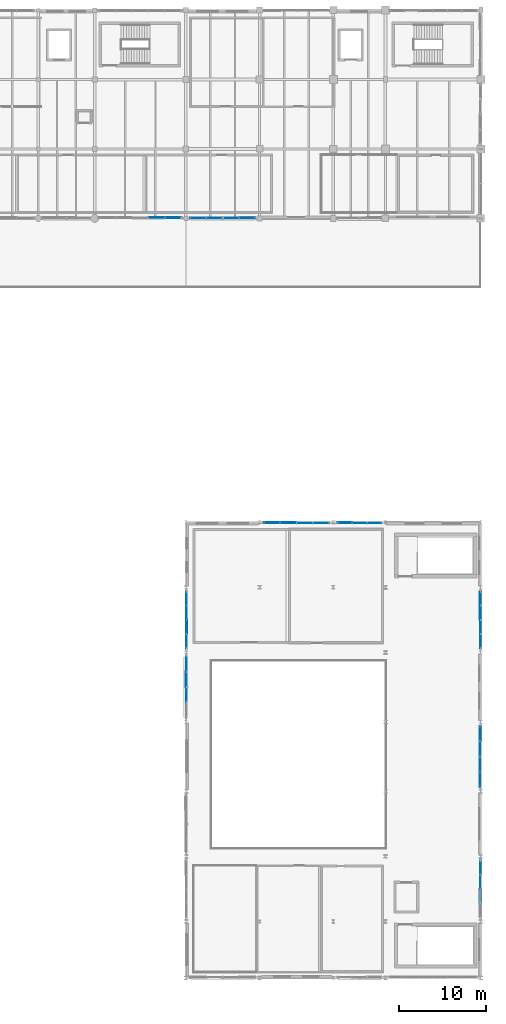
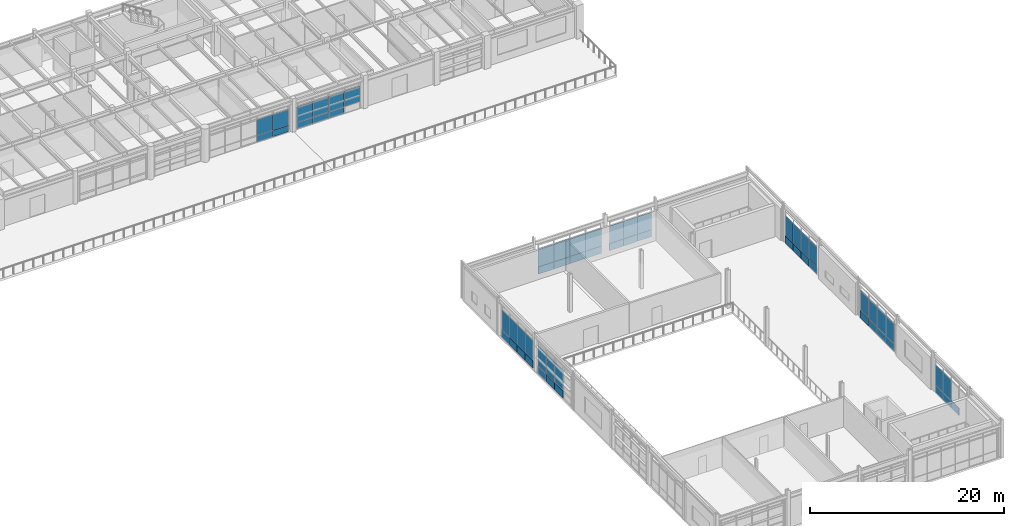
# One storey, part 44 of 56: 60 plates, 9 elements without a shape of their own.
"""IFC4 building model written with IfcOpenShell, lengths in metres."""

from ifc_helpers import new_model, si_unit, direction, frame, origin, origin_2d, place, context, subcontext, project, spatial, rectangle, extrude, material, layer, layer_set, type_object, element, aggregate, save


model = new_model("IFC4")

# Units and contexts
model_context = context("Model", 3, precision=1e-05, world=origin(), true_north=direction((0.0, 1.0)))
body_context = subcontext(model_context, "Body", "Model", "MODEL_VIEW")
ifc_project = project(units=[si_unit("LENGTHUNIT", "METRE"), si_unit("AREAUNIT", "SQUARE_METRE"), si_unit("VOLUMEUNIT", "CUBIC_METRE"), si_unit("PLANEANGLEUNIT", "RADIAN"), si_unit("MASSUNIT", "GRAM", prefix="KILO"), si_unit("THERMODYNAMICTEMPERATUREUNIT", "KELVIN"), si_unit("POWERUNIT", "WATT")], contexts=[model_context])

# Site, building, storey
site_placement = place(None, origin())
site = spatial("IfcSite", under=ifc_project, at=site_placement, CompositionType="ELEMENT")
building_placement = place(site_placement, origin())
building = spatial("IfcBuilding", under=site, at=building_placement, Name="Tepalcoro Natatorium and Aquatics Centre", CompositionType="ELEMENT")
storey_placement = place(building_placement, frame((0.0, 0.0, 14.800048828125)))
storey = spatial("IfcBuildingStorey", under=building, at=storey_placement, Name="L03", CompositionType="ELEMENT", Elevation=14.800048828125)

# Curtain wall, plate
ifc_material_1 = material(Name="Bronze-Anodised Extruded Aluminium Alloy EN AW-6063 T6", Category="aluminium")
curtain_wall_type_1 = type_object("IfcCurtainWallType", Name="CW_LEAN_T1_EW", PredefinedType="USERDEFINED", material=ifc_material_1)
curtain_wall_1_placement = place(storey_placement, origin())
curtain_wall_1 = element("IfcCurtainWall", 1, at=curtain_wall_1_placement, inside=storey, type_object=curtain_wall_type_1, Name="V2 L03 N Unitised Curtain Wall Bay 2", ObjectType="FACETED SOLAR GLAZING", PredefinedType="USERDEFINED")
ifc_material_2 = material(Name="Solar-Control Bronze Tempered Low-E Double Glazing", Category="glass")
ifc_layer_1 = layer(ifc_material_2, 0.048095703125)
ifc_layer_set_1 = layer_set([ifc_layer_1], Name="Solar-Control Bronze Tempered Low-E Double Glazing")
plate_type_1 = type_object("IfcPlateType", Name="PL_ACOUSTIC_IGU_48", PredefinedType="CURTAIN_PANEL", material=ifc_layer_set_1)
plate_1_placement = place(storey_placement, frame((153.8076171875, 58.9287109375, 0.949951171875), z_axis=(0.0, 0.0, 1.0), x_axis=(1.0, 0.0, 0.0)))
plate_1 = element("IfcPlate", 2, at=plate_1_placement, type_object=plate_type_1, Name="CW_LEAN_T1_EW Insulated Glazing Unit", PredefinedType="CURTAIN_PANEL", context=body_context, shape_type="SweptSolid", body=[
    extrude(rectangle(XDim=1.864990234375, YDim=0.048095703125, at=origin_2d()), origin(), (0.0, 0.0, 1.0), 2.25),
])

curtain_wall_type_2 = type_object("IfcCurtainWallType", Name="CW_LEAN_T2_NS", PredefinedType="USERDEFINED", material=ifc_material_1)
curtain_wall_2_placement = place(storey_placement, origin())
curtain_wall_2 = element("IfcCurtainWall", 3, at=curtain_wall_2_placement, inside=storey, type_object=curtain_wall_type_2, Name="V2 L03 N Unitised Curtain Wall Bay 3", ObjectType="FACETED SOLAR GLAZING", PredefinedType="USERDEFINED")
plate_2_placement = place(storey_placement, frame((160.320068359375, 58.923828125, 0.9306640625), z_axis=(0.0, 0.0, 1.0), x_axis=(1.0, 0.0, 0.0)))
plate_2 = element("IfcPlate", 4, at=plate_2_placement, type_object=plate_type_1, Name="CW_LEAN_T2_NS Insulated Glazing Unit", PredefinedType="CURTAIN_PANEL", context=body_context, shape_type="SweptSolid", body=[
    extrude(rectangle(XDim=1.659912109375, YDim=0.048095703125, at=origin_2d()), origin(), (0.0, 0.0, 1.0), 2.193115234375),
])

curtain_wall_type_3 = type_object("IfcCurtainWallType", Name="CW_LEAN_T2_EW", PredefinedType="USERDEFINED", material=ifc_material_1)
curtain_wall_3_placement = place(storey_placement, origin())
curtain_wall_3 = element("IfcCurtainWall", 5, at=curtain_wall_3_placement, inside=storey, type_object=curtain_wall_type_3, Name="V2 L03 W Unitised Curtain Wall Bay 5", ObjectType="FACETED SOLAR GLAZING", PredefinedType="USERDEFINED")
plate_3_placement = place(storey_placement, frame((142.0712890625, 42.639892578125, 0.9599609375), z_axis=(0.0, 0.0, 1.0), x_axis=(1.0, 0.0, 0.0)))
plate_3 = element("IfcPlate", 6, at=plate_3_placement, type_object=plate_type_1, Name="CW_LEAN_T2_EW Insulated Glazing Unit", PredefinedType="CURTAIN_PANEL", context=body_context, shape_type="SweptSolid", body=[
    extrude(rectangle(XDim=0.048095703125, YDim=1.739990234375, at=origin_2d()), origin(), (0.0, 0.0, 1.0), 2.530029296875),
])

curtain_wall_type_4 = type_object("IfcCurtainWallType", Name="CW_V1_PLINTH", PredefinedType="USERDEFINED", material=ifc_material_1)
curtain_wall_4_placement = place(storey_placement, origin())
curtain_wall_4 = element("IfcCurtainWall", 7, at=curtain_wall_4_placement, inside=storey, type_object=curtain_wall_type_4, Name="V2 L03 W Unitised Curtain Wall Bay 6", ObjectType="UNITISED STOREFRONT", PredefinedType="USERDEFINED")
plate_4_placement = place(storey_placement, frame((142.090087890625, 48.5673828125, 0.9599609375), z_axis=(0.0, 0.0, 1.0), x_axis=(1.0, 0.0, 0.0)))
plate_4 = element("IfcPlate", 8, at=plate_4_placement, type_object=plate_type_1, Name="CW_V1_PLINTH Insulated Glazing Unit", PredefinedType="CURTAIN_PANEL", context=body_context, shape_type="SweptSolid", body=[
    extrude(rectangle(XDim=0.048095703125, YDim=1.614990234375, at=origin_2d()), origin(), (0.0, 0.0, 1.0), 2.530029296875),
])

# Curtain wall, plates
curtain_wall_5_placement = place(storey_placement, origin())
curtain_wall_5 = element("IfcCurtainWall", 9, at=curtain_wall_5_placement, inside=storey, type_object=curtain_wall_type_4, Name="V2 L03 E Unitised Curtain Wall Bay 4", ObjectType="UNITISED STOREFRONT", PredefinedType="USERDEFINED")
plate_5_placement = place(storey_placement, frame((175.909912109375, 29.360107421875, 0.9599609375), z_axis=(0.0, 0.0, 1.0), x_axis=(1.0, 0.0, 0.0)))
plate_5 = element("IfcPlate", 10, at=plate_5_placement, type_object=plate_type_1, Name="CW_V1_PLINTH Insulated Glazing Unit", PredefinedType="CURTAIN_PANEL", context=body_context, shape_type="SweptSolid", body=[
    extrude(rectangle(XDim=0.048095703125, YDim=1.739990234375, at=origin_2d()), origin(), (0.0, 0.0, 1.0), 2.530029296875),
])
plate_6_placement = place(storey_placement, frame((175.909912109375, 34.639892578125, 0.9599609375), z_axis=(0.0, 0.0, 1.0), x_axis=(1.0, 0.0, 0.0)))
plate_6 = element("IfcPlate", 11, at=plate_6_placement, type_object=plate_type_1, Name="CW_V1_PLINTH Insulated Glazing Unit", PredefinedType="CURTAIN_PANEL", context=body_context, shape_type="SweptSolid", body=[
    extrude(rectangle(XDim=0.048095703125, YDim=1.739990234375, at=origin_2d()), origin(), (0.0, 0.0, 1.0), 2.530029296875),
])

# Curtain wall, plate
curtain_wall_type_5 = type_object("IfcCurtainWallType", Name="CW_V3_FOYER", PredefinedType="USERDEFINED", material=ifc_material_1)
curtain_wall_6_placement = place(storey_placement, origin())
curtain_wall_6 = element("IfcCurtainWall", 12, at=curtain_wall_6_placement, inside=storey, type_object=curtain_wall_type_5, Name="V2 L03 E Unitised Curtain Wall Bay 6", ObjectType="UNITISED STOREFRONT", PredefinedType="USERDEFINED")
plate_7_placement = place(storey_placement, frame((175.9287109375, 48.5673828125, 0.9599609375), z_axis=(0.0, 0.0, 1.0), x_axis=(1.0, 0.0, 0.0)))
plate_7 = element("IfcPlate", 13, at=plate_7_placement, type_object=plate_type_1, Name="CW_V3_FOYER Insulated Glazing Unit", PredefinedType="CURTAIN_PANEL", context=body_context, shape_type="SweptSolid", body=[
    extrude(rectangle(XDim=0.048095703125, YDim=1.614990234375, at=origin_2d()), origin(), (0.0, 0.0, 1.0), 2.530029296875),
])

curtain_wall_type_6 = type_object("IfcCurtainWallType", Name="CW_V5_LOWER", PredefinedType="USERDEFINED", material=ifc_material_1)
curtain_wall_7_placement = place(storey_placement, origin())
curtain_wall_7 = element("IfcCurtainWall", 14, at=curtain_wall_7_placement, inside=storey, type_object=curtain_wall_type_6, Name="V5 L03 S Unitised Curtain Wall Bay 4", ObjectType="UNITISED STOREFRONT", PredefinedType="USERDEFINED")
plate_8_placement = place(storey_placement, frame((140.56591796875, 94.080078125, 0.85400390625), z_axis=(0.0, 0.0, 1.0), x_axis=(1.0, 0.0, 0.0)))
plate_8 = element("IfcPlate", 15, at=plate_8_placement, type_object=plate_type_1, Name="CW_V5_LOWER Insulated Glazing Unit", PredefinedType="CURTAIN_PANEL", context=body_context, shape_type="SweptSolid", body=[
    extrude(rectangle(XDim=1.887939453125, YDim=0.048095703125, at=origin_2d()), origin(), (0.0, 0.0, 1.0), 1.972412109375),
])

# Curtain wall, plates
curtain_wall_type_7 = type_object("IfcCurtainWallType", Name="CW_V5_UPPER", PredefinedType="USERDEFINED", material=ifc_material_1)
curtain_wall_8_placement = place(storey_placement, origin())
curtain_wall_8 = element("IfcCurtainWall", 16, at=curtain_wall_8_placement, inside=storey, type_object=curtain_wall_type_7, Name="V5 L03 S Unitised Curtain Wall Bay 5", ObjectType="FACETED SOLAR GLAZING", PredefinedType="USERDEFINED")
plate_9_placement = place(storey_placement, frame((143.422607421875, 94.0712890625, 0.84228515625), z_axis=(0.0, 0.0, 1.0), x_axis=(1.0, 0.0, 0.0)))
plate_9 = element("IfcPlate", 17, at=plate_9_placement, type_object=plate_type_1, Name="CW_V5_UPPER Insulated Glazing Unit", PredefinedType="CURTAIN_PANEL", context=body_context, shape_type="SweptSolid", body=[
    extrude(rectangle(XDim=1.864990234375, YDim=0.048095703125, at=origin_2d()), origin(), (0.0, 0.0, 1.0), 1.944580078125),
])
plate_10_placement = place(storey_placement, frame((149.077392578125, 94.0712890625, 0.84228515625), z_axis=(0.0, 0.0, 1.0), x_axis=(1.0, 0.0, 0.0)))
plate_10 = element("IfcPlate", 18, at=plate_10_placement, type_object=plate_type_1, Name="CW_V5_UPPER Insulated Glazing Unit", PredefinedType="CURTAIN_PANEL", context=body_context, shape_type="SweptSolid", body=[
    extrude(rectangle(XDim=1.864990234375, YDim=0.048095703125, at=origin_2d()), origin(), (0.0, 0.0, 1.0), 1.944580078125),
])

# Plate
ifc_layer_2 = layer(ifc_material_2, 0.028076171875)
ifc_layer_set_2 = layer_set([ifc_layer_2], Name="Solar-Control Bronze Tempered Low-E Double Glazing")
plate_type_2 = type_object("IfcPlateType", Name="PL_BRONZE_IGU_28", PredefinedType="CURTAIN_PANEL", material=ifc_layer_set_2)
plate_11_placement = place(storey_placement, frame((151.922607421875, 58.9287109375, 0.949951171875), z_axis=(0.0, 0.0, 1.0), x_axis=(1.0, 0.0, 0.0)))
plate_11 = element("IfcPlate", 19, at=plate_11_placement, type_object=plate_type_2, Name="CW_LEAN_T1_EW Insulated Glazing Unit", PredefinedType="CURTAIN_PANEL", context=body_context, shape_type="SweptSolid", body=[
    extrude(rectangle(XDim=1.864990234375, YDim=0.028076171875, at=origin_2d()), origin(), (0.0, 0.0, 1.0), 2.25),
])

plate_12_placement = place(storey_placement, frame((157.577392578125, 58.9287109375, 0.949951171875), z_axis=(0.0, 0.0, 1.0), x_axis=(1.0, 0.0, 0.0)))
plate_12 = element("IfcPlate", 20, at=plate_12_placement, type_object=plate_type_2, Name="CW_LEAN_T1_EW Insulated Glazing Unit", PredefinedType="CURTAIN_PANEL", context=body_context, shape_type="SweptSolid", body=[
    extrude(rectangle(XDim=1.864990234375, YDim=0.028076171875, at=origin_2d()), origin(), (0.0, 0.0, 1.0), 2.25),
])

plate_13_placement = place(storey_placement, frame((163.679931640625, 58.923828125, 0.9306640625), z_axis=(0.0, 0.0, 1.0), x_axis=(1.0, 0.0, 0.0)))
plate_13 = element("IfcPlate", 21, at=plate_13_placement, type_object=plate_type_2, Name="CW_LEAN_T2_NS Insulated Glazing Unit", PredefinedType="CURTAIN_PANEL", context=body_context, shape_type="SweptSolid", body=[
    extrude(rectangle(XDim=1.659912109375, YDim=0.028076171875, at=origin_2d()), origin(), (0.0, 0.0, 1.0), 2.193115234375),
])

plate_14_placement = place(storey_placement, frame((142.0712890625, 40.8798828125, 0.9599609375), z_axis=(0.0, 0.0, 1.0), x_axis=(1.0, 0.0, 0.0)))
plate_14 = element("IfcPlate", 22, at=plate_14_placement, type_object=plate_type_2, Name="CW_LEAN_T2_EW Insulated Glazing Unit", PredefinedType="CURTAIN_PANEL", context=body_context, shape_type="SweptSolid", body=[
    extrude(rectangle(XDim=0.028076171875, YDim=1.739990234375, at=origin_2d()), origin(), (0.0, 0.0, 1.0), 2.530029296875),
])

plate_15_placement = place(storey_placement, frame((142.090087890625, 46.9326171875, 0.9599609375), z_axis=(0.0, 0.0, 1.0), x_axis=(1.0, 0.0, 0.0)))
plate_15 = element("IfcPlate", 23, at=plate_15_placement, type_object=plate_type_2, Name="CW_V1_PLINTH Insulated Glazing Unit", PredefinedType="CURTAIN_PANEL", context=body_context, shape_type="SweptSolid", body=[
    extrude(rectangle(XDim=0.028076171875, YDim=1.614990234375, at=origin_2d()), origin(), (0.0, 0.0, 1.0), 2.530029296875),
])

# Curtain wall, plate
curtain_wall_9_placement = place(storey_placement, origin())
curtain_wall_9 = element("IfcCurtainWall", 24, at=curtain_wall_9_placement, inside=storey, type_object=curtain_wall_type_2, Name="V2 L03 E Unitised Curtain Wall Bay 2", ObjectType="FACETED SOLAR GLAZING", PredefinedType="USERDEFINED")
plate_16_placement = place(storey_placement, frame((175.923828125, 19.202392578125, 0.9599609375), z_axis=(0.0, 0.0, 1.0), x_axis=(1.0, 0.0, 0.0)))
plate_16 = element("IfcPlate", 25, at=plate_16_placement, type_object=plate_type_2, Name="CW_LEAN_T2_NS Insulated Glazing Unit", PredefinedType="CURTAIN_PANEL", context=body_context, shape_type="SweptSolid", body=[
    extrude(rectangle(XDim=0.028076171875, YDim=1.614990234375, at=origin_2d()), origin(), (0.0, 0.0, 1.0), 2.530029296875),
])

# Plate
plate_17_placement = place(storey_placement, frame((175.909912109375, 32.8798828125, 0.9599609375), z_axis=(0.0, 0.0, 1.0), x_axis=(1.0, 0.0, 0.0)))
plate_17 = element("IfcPlate", 26, at=plate_17_placement, type_object=plate_type_2, Name="CW_V1_PLINTH Insulated Glazing Unit", PredefinedType="CURTAIN_PANEL", context=body_context, shape_type="SweptSolid", body=[
    extrude(rectangle(XDim=0.028076171875, YDim=1.739990234375, at=origin_2d()), origin(), (0.0, 0.0, 1.0), 2.530029296875),
])

plate_18_placement = place(storey_placement, frame((175.9287109375, 46.9326171875, 0.9599609375), z_axis=(0.0, 0.0, 1.0), x_axis=(1.0, 0.0, 0.0)))
plate_18 = element("IfcPlate", 27, at=plate_18_placement, type_object=plate_type_2, Name="CW_V3_FOYER Insulated Glazing Unit", PredefinedType="CURTAIN_PANEL", context=body_context, shape_type="SweptSolid", body=[
    extrude(rectangle(XDim=0.028076171875, YDim=1.614990234375, at=origin_2d()), origin(), (0.0, 0.0, 1.0), 2.530029296875),
])

plate_19_placement = place(storey_placement, frame((138.657958984375, 94.080078125, 0.85400390625), z_axis=(0.0, 0.0, 1.0), x_axis=(1.0, 0.0, 0.0)))
plate_19 = element("IfcPlate", 28, at=plate_19_placement, type_object=plate_type_2, Name="CW_V5_LOWER Insulated Glazing Unit", PredefinedType="CURTAIN_PANEL", context=body_context, shape_type="SweptSolid", body=[
    extrude(rectangle(XDim=1.887939453125, YDim=0.028076171875, at=origin_2d()), origin(), (0.0, 0.0, 1.0), 1.972412109375),
])

plate_20_placement = place(storey_placement, frame((147.1923828125, 94.0712890625, 0.84228515625), z_axis=(0.0, 0.0, 1.0), x_axis=(1.0, 0.0, 0.0)))
plate_20 = element("IfcPlate", 29, at=plate_20_placement, type_object=plate_type_2, Name="CW_V5_UPPER Insulated Glazing Unit", PredefinedType="CURTAIN_PANEL", context=body_context, shape_type="SweptSolid", body=[
    extrude(rectangle(XDim=1.864990234375, YDim=0.028076171875, at=origin_2d()), origin(), (0.0, 0.0, 1.0), 1.944580078125),
])

ifc_material_3 = material(Name="Jalisco Cantera Rosa Volcanic Tuff Ashlar Masonry", Category="masonry")
ifc_layer_3 = layer(ifc_material_3, 0.090087890625)
ifc_layer_set_3 = layer_set([ifc_layer_3], Name="Jalisco Cantera Rosa Volcanic Tuff Ashlar Masonry")
plate_type_3 = type_object("IfcPlateType", Name="PL_CANTERA_90", PredefinedType="SHEET", material=ifc_layer_set_3)
plate_21_placement = place(storey_placement, frame((151.922607421875, 58.9287109375, 0.044921875), z_axis=(0.0, 0.0, 1.0), x_axis=(1.0, 0.0, 0.0)))
plate_21 = element("IfcPlate", 30, at=plate_21_placement, type_object=plate_type_3, Name="CW_LEAN_T1_EW Spandrel & Screen Panel", PredefinedType="SHEET", context=body_context, shape_type="SweptSolid", body=[
    extrude(rectangle(XDim=1.864990234375, YDim=0.090087890625, at=origin_2d()), origin(), (0.0, 0.0, 1.0), 0.89990234375),
])

plate_22_placement = place(storey_placement, frame((142.0712890625, 39.1201171875, 0.044921875), z_axis=(0.0, 0.0, 1.0), x_axis=(1.0, 0.0, 0.0)))
plate_22 = element("IfcPlate", 31, at=plate_22_placement, type_object=plate_type_3, Name="CW_LEAN_T2_EW Spandrel & Screen Panel", PredefinedType="SHEET", context=body_context, shape_type="SweptSolid", body=[
    extrude(rectangle(XDim=0.090087890625, YDim=1.739990234375, at=origin_2d()), origin(), (0.0, 0.0, 1.0), 0.909912109375),
])

plate_23_placement = place(storey_placement, frame((142.090087890625, 45.297607421875, 0.044921875), z_axis=(0.0, 0.0, 1.0), x_axis=(1.0, 0.0, 0.0)))
plate_23 = element("IfcPlate", 32, at=plate_23_placement, type_object=plate_type_3, Name="CW_V1_PLINTH Spandrel & Screen Panel", PredefinedType="SHEET", context=body_context, shape_type="SweptSolid", body=[
    extrude(rectangle(XDim=0.090087890625, YDim=1.614990234375, at=origin_2d()), origin(), (0.0, 0.0, 1.0), 0.909912109375),
])

plate_24_placement = place(storey_placement, frame((175.909912109375, 34.639892578125, 0.044921875), z_axis=(0.0, 0.0, 1.0), x_axis=(1.0, 0.0, 0.0)))
plate_24 = element("IfcPlate", 33, at=plate_24_placement, type_object=plate_type_3, Name="CW_V1_PLINTH Spandrel & Screen Panel", PredefinedType="SHEET", context=body_context, shape_type="SweptSolid", body=[
    extrude(rectangle(XDim=0.090087890625, YDim=1.739990234375, at=origin_2d()), origin(), (0.0, 0.0, 1.0), 0.909912109375),
])

plate_25_placement = place(storey_placement, frame((175.9287109375, 48.5673828125, 0.044921875), z_axis=(0.0, 0.0, 1.0), x_axis=(1.0, 0.0, 0.0)))
plate_25 = element("IfcPlate", 34, at=plate_25_placement, type_object=plate_type_3, Name="CW_V3_FOYER Spandrel & Screen Panel", PredefinedType="SHEET", context=body_context, shape_type="SweptSolid", body=[
    extrude(rectangle(XDim=0.090087890625, YDim=1.614990234375, at=origin_2d()), origin(), (0.0, 0.0, 1.0), 0.909912109375),
])

plate_26_placement = place(storey_placement, frame((140.56591796875, 94.080078125, 0.044921875), z_axis=(0.0, 0.0, 1.0), x_axis=(1.0, 0.0, 0.0)))
plate_26 = element("IfcPlate", 35, at=plate_26_placement, type_object=plate_type_3, Name="CW_V5_LOWER Spandrel & Screen Panel", PredefinedType="SHEET", context=body_context, shape_type="SweptSolid", body=[
    extrude(rectangle(XDim=1.887939453125, YDim=0.090087890625, at=origin_2d()), origin(), (0.0, 0.0, 1.0), 0.80419921875),
])

ifc_material_4 = material(Name="Clear Tempered Low-E Safety Glazing", Category="glass")
ifc_layer_4 = layer(ifc_material_4, 0.011962890625)
ifc_layer_set_4 = layer_set([ifc_layer_4], Name="Clear Tempered Low-E Safety Glazing")
plate_type_4 = type_object("IfcPlateType", Name="PL_GLASS_12", PredefinedType="CURTAIN_PANEL", material=ifc_layer_set_4)
plate_27_placement = place(storey_placement, frame((155.6923828125, 58.9287109375, 0.949951171875), z_axis=(0.0, 0.0, 1.0), x_axis=(1.0, 0.0, 0.0)))
plate_27 = element("IfcPlate", 36, at=plate_27_placement, type_object=plate_type_4, Name="CW_LEAN_T1_EW Insulated Glazing Unit", PredefinedType="CURTAIN_PANEL", context=body_context, shape_type="SweptSolid", body=[
    extrude(rectangle(XDim=1.864990234375, YDim=0.011962890625, at=origin_2d()), origin(), (0.0, 0.0, 1.0), 2.25),
])

plate_28_placement = place(storey_placement, frame((162.0, 58.923828125, 0.9306640625), z_axis=(0.0, 0.0, 1.0), x_axis=(1.0, 0.0, 0.0)))
plate_28 = element("IfcPlate", 37, at=plate_28_placement, type_object=plate_type_4, Name="CW_LEAN_T2_NS Insulated Glazing Unit", PredefinedType="CURTAIN_PANEL", context=body_context, shape_type="SweptSolid", body=[
    extrude(rectangle(XDim=1.659912109375, YDim=0.011962890625, at=origin_2d()), origin(), (0.0, 0.0, 1.0), 2.193115234375),
])

plate_29_placement = place(storey_placement, frame((142.0712890625, 39.1201171875, 0.9599609375), z_axis=(0.0, 0.0, 1.0), x_axis=(1.0, 0.0, 0.0)))
plate_29 = element("IfcPlate", 38, at=plate_29_placement, type_object=plate_type_4, Name="CW_LEAN_T2_EW Insulated Glazing Unit", PredefinedType="CURTAIN_PANEL", context=body_context, shape_type="SweptSolid", body=[
    extrude(rectangle(XDim=0.011962890625, YDim=1.739990234375, at=origin_2d()), origin(), (0.0, 0.0, 1.0), 2.530029296875),
])

plate_30_placement = place(storey_placement, frame((142.090087890625, 45.297607421875, 0.9599609375), z_axis=(0.0, 0.0, 1.0), x_axis=(1.0, 0.0, 0.0)))
plate_30 = element("IfcPlate", 39, at=plate_30_placement, type_object=plate_type_4, Name="CW_V1_PLINTH Insulated Glazing Unit", PredefinedType="CURTAIN_PANEL", context=body_context, shape_type="SweptSolid", body=[
    extrude(rectangle(XDim=0.011962890625, YDim=1.614990234375, at=origin_2d()), origin(), (0.0, 0.0, 1.0), 2.530029296875),
])

plate_31_placement = place(storey_placement, frame((142.090087890625, 50.202392578125, 0.9599609375), z_axis=(0.0, 0.0, 1.0), x_axis=(1.0, 0.0, 0.0)))
plate_31 = element("IfcPlate", 40, at=plate_31_placement, type_object=plate_type_4, Name="CW_V1_PLINTH Insulated Glazing Unit", PredefinedType="CURTAIN_PANEL", context=body_context, shape_type="SweptSolid", body=[
    extrude(rectangle(XDim=0.011962890625, YDim=1.614990234375, at=origin_2d()), origin(), (0.0, 0.0, 1.0), 2.530029296875),
])

plate_32_placement = place(storey_placement, frame((175.923828125, 17.5673828125, 0.9599609375), z_axis=(0.0, 0.0, 1.0), x_axis=(1.0, 0.0, 0.0)))
plate_32 = element("IfcPlate", 41, at=plate_32_placement, type_object=plate_type_4, Name="CW_LEAN_T2_NS Insulated Glazing Unit", PredefinedType="CURTAIN_PANEL", context=body_context, shape_type="SweptSolid", body=[
    extrude(rectangle(XDim=0.011962890625, YDim=1.614990234375, at=origin_2d()), origin(), (0.0, 0.0, 1.0), 2.530029296875),
])

plate_33_placement = place(storey_placement, frame((175.909912109375, 31.1201171875, 0.9599609375), z_axis=(0.0, 0.0, 1.0), x_axis=(1.0, 0.0, 0.0)))
plate_33 = element("IfcPlate", 42, at=plate_33_placement, type_object=plate_type_4, Name="CW_V1_PLINTH Insulated Glazing Unit", PredefinedType="CURTAIN_PANEL", context=body_context, shape_type="SweptSolid", body=[
    extrude(rectangle(XDim=0.011962890625, YDim=1.739990234375, at=origin_2d()), origin(), (0.0, 0.0, 1.0), 2.530029296875),
])

plate_34_placement = place(storey_placement, frame((175.9287109375, 45.297607421875, 0.9599609375), z_axis=(0.0, 0.0, 1.0), x_axis=(1.0, 0.0, 0.0)))
plate_34 = element("IfcPlate", 43, at=plate_34_placement, type_object=plate_type_4, Name="CW_V3_FOYER Insulated Glazing Unit", PredefinedType="CURTAIN_PANEL", context=body_context, shape_type="SweptSolid", body=[
    extrude(rectangle(XDim=0.011962890625, YDim=1.614990234375, at=origin_2d()), origin(), (0.0, 0.0, 1.0), 2.530029296875),
])

plate_35_placement = place(storey_placement, frame((175.9287109375, 50.202392578125, 0.9599609375), z_axis=(0.0, 0.0, 1.0), x_axis=(1.0, 0.0, 0.0)))
plate_35 = element("IfcPlate", 44, at=plate_35_placement, type_object=plate_type_4, Name="CW_V3_FOYER Insulated Glazing Unit", PredefinedType="CURTAIN_PANEL", context=body_context, shape_type="SweptSolid", body=[
    extrude(rectangle(XDim=0.011962890625, YDim=1.614990234375, at=origin_2d()), origin(), (0.0, 0.0, 1.0), 2.530029296875),
])

plate_36_placement = place(storey_placement, frame((145.3076171875, 94.0712890625, 0.84228515625), z_axis=(0.0, 0.0, 1.0), x_axis=(1.0, 0.0, 0.0)))
plate_36 = element("IfcPlate", 45, at=plate_36_placement, type_object=plate_type_4, Name="CW_V5_UPPER Insulated Glazing Unit", PredefinedType="CURTAIN_PANEL", context=body_context, shape_type="SweptSolid", body=[
    extrude(rectangle(XDim=1.864990234375, YDim=0.011962890625, at=origin_2d()), origin(), (0.0, 0.0, 1.0), 1.944580078125),
])

ifc_material_5 = material(Name="Volcanic Recinto Basalt Ashlar Masonry", Category="masonry")
ifc_layer_5 = layer(ifc_material_5, 0.110107421875)
ifc_layer_set_5 = layer_set([ifc_layer_5], Name="Volcanic Recinto Basalt Ashlar Masonry")
plate_type_5 = type_object("IfcPlateType", Name="PL_RECINTO_110", PredefinedType="SHEET", material=ifc_layer_set_5)
plate_37_placement = place(storey_placement, frame((153.8076171875, 58.9287109375, 0.044921875), z_axis=(0.0, 0.0, 1.0), x_axis=(1.0, 0.0, 0.0)))
plate_37 = element("IfcPlate", 46, at=plate_37_placement, type_object=plate_type_5, Name="CW_LEAN_T1_EW Spandrel & Screen Panel", PredefinedType="SHEET", context=body_context, shape_type="SweptSolid", body=[
    extrude(rectangle(XDim=1.864990234375, YDim=0.110107421875, at=origin_2d()), origin(), (0.0, 0.0, 1.0), 0.89990234375),
])

plate_38_placement = place(storey_placement, frame((160.320068359375, 58.923828125, 0.044921875), z_axis=(0.0, 0.0, 1.0), x_axis=(1.0, 0.0, 0.0)))
plate_38 = element("IfcPlate", 47, at=plate_38_placement, type_object=plate_type_5, Name="CW_LEAN_T2_NS Spandrel & Screen Panel", PredefinedType="SHEET", context=body_context, shape_type="SweptSolid", body=[
    extrude(rectangle(XDim=1.659912109375, YDim=0.110107421875, at=origin_2d()), origin(), (0.0, 0.0, 1.0), 0.881103515625),
])

plate_39_placement = place(storey_placement, frame((142.0712890625, 40.8798828125, 0.044921875), z_axis=(0.0, 0.0, 1.0), x_axis=(1.0, 0.0, 0.0)))
plate_39 = element("IfcPlate", 48, at=plate_39_placement, type_object=plate_type_5, Name="CW_LEAN_T2_EW Spandrel & Screen Panel", PredefinedType="SHEET", context=body_context, shape_type="SweptSolid", body=[
    extrude(rectangle(XDim=0.110107421875, YDim=1.739990234375, at=origin_2d()), origin(), (0.0, 0.0, 1.0), 0.909912109375),
])

plate_40_placement = place(storey_placement, frame((142.090087890625, 46.9326171875, 0.044921875), z_axis=(0.0, 0.0, 1.0), x_axis=(1.0, 0.0, 0.0)))
plate_40 = element("IfcPlate", 49, at=plate_40_placement, type_object=plate_type_5, Name="CW_V1_PLINTH Spandrel & Screen Panel", PredefinedType="SHEET", context=body_context, shape_type="SweptSolid", body=[
    extrude(rectangle(XDim=0.110107421875, YDim=1.614990234375, at=origin_2d()), origin(), (0.0, 0.0, 1.0), 0.909912109375),
])

plate_41_placement = place(storey_placement, frame((175.9287109375, 50.202392578125, 0.044921875), z_axis=(0.0, 0.0, 1.0), x_axis=(1.0, 0.0, 0.0)))
plate_41 = element("IfcPlate", 50, at=plate_41_placement, type_object=plate_type_5, Name="CW_V3_FOYER Spandrel & Screen Panel", PredefinedType="SHEET", context=body_context, shape_type="SweptSolid", body=[
    extrude(rectangle(XDim=0.110107421875, YDim=1.614990234375, at=origin_2d()), origin(), (0.0, 0.0, 1.0), 0.909912109375),
])

ifc_layer_6 = layer(ifc_material_1, 0.050048828125)
ifc_layer_set_6 = layer_set([ifc_layer_6], Name="Bronze-Anodised Extruded Aluminium Alloy EN AW-6063 T6")
plate_type_6 = type_object("IfcPlateType", Name="PL_SCREEN_50", PredefinedType="SHEET", material=ifc_layer_set_6)
plate_42_placement = place(storey_placement, frame((157.577392578125, 58.9287109375, 0.044921875), z_axis=(0.0, 0.0, 1.0), x_axis=(1.0, 0.0, 0.0)))
plate_42 = element("IfcPlate", 51, at=plate_42_placement, type_object=plate_type_6, Name="CW_LEAN_T1_EW Spandrel & Screen Panel", PredefinedType="SHEET", context=body_context, shape_type="SweptSolid", body=[
    extrude(rectangle(XDim=1.864990234375, YDim=0.050048828125, at=origin_2d()), origin(), (0.0, 0.0, 1.0), 0.89990234375),
])

plate_43_placement = place(storey_placement, frame((163.679931640625, 58.923828125, 0.044921875), z_axis=(0.0, 0.0, 1.0), x_axis=(1.0, 0.0, 0.0)))
plate_43 = element("IfcPlate", 52, at=plate_43_placement, type_object=plate_type_6, Name="CW_LEAN_T2_NS Spandrel & Screen Panel", PredefinedType="SHEET", context=body_context, shape_type="SweptSolid", body=[
    extrude(rectangle(XDim=1.659912109375, YDim=0.050048828125, at=origin_2d()), origin(), (0.0, 0.0, 1.0), 0.881103515625),
])

plate_44_placement = place(storey_placement, frame((142.090087890625, 50.202392578125, 0.044921875), z_axis=(0.0, 0.0, 1.0), x_axis=(1.0, 0.0, 0.0)))
plate_44 = element("IfcPlate", 53, at=plate_44_placement, type_object=plate_type_6, Name="CW_V1_PLINTH Spandrel & Screen Panel", PredefinedType="SHEET", context=body_context, shape_type="SweptSolid", body=[
    extrude(rectangle(XDim=0.050048828125, YDim=1.614990234375, at=origin_2d()), origin(), (0.0, 0.0, 1.0), 0.909912109375),
])

plate_45_placement = place(storey_placement, frame((175.923828125, 17.5673828125, 0.044921875), z_axis=(0.0, 0.0, 1.0), x_axis=(1.0, 0.0, 0.0)))
plate_45 = element("IfcPlate", 54, at=plate_45_placement, type_object=plate_type_6, Name="CW_LEAN_T2_NS Spandrel & Screen Panel", PredefinedType="SHEET", context=body_context, shape_type="SweptSolid", body=[
    extrude(rectangle(XDim=0.050048828125, YDim=1.614990234375, at=origin_2d()), origin(), (0.0, 0.0, 1.0), 0.909912109375),
])

plate_46_placement = place(storey_placement, frame((175.909912109375, 31.1201171875, 0.044921875), z_axis=(0.0, 0.0, 1.0), x_axis=(1.0, 0.0, 0.0)))
plate_46 = element("IfcPlate", 55, at=plate_46_placement, type_object=plate_type_6, Name="CW_V1_PLINTH Spandrel & Screen Panel", PredefinedType="SHEET", context=body_context, shape_type="SweptSolid", body=[
    extrude(rectangle(XDim=0.050048828125, YDim=1.739990234375, at=origin_2d()), origin(), (0.0, 0.0, 1.0), 0.909912109375),
])

plate_47_placement = place(storey_placement, frame((175.9287109375, 45.297607421875, 0.044921875), z_axis=(0.0, 0.0, 1.0), x_axis=(1.0, 0.0, 0.0)))
plate_47 = element("IfcPlate", 56, at=plate_47_placement, type_object=plate_type_6, Name="CW_V3_FOYER Spandrel & Screen Panel", PredefinedType="SHEET", context=body_context, shape_type="SweptSolid", body=[
    extrude(rectangle(XDim=0.050048828125, YDim=1.614990234375, at=origin_2d()), origin(), (0.0, 0.0, 1.0), 0.909912109375),
])

plate_48_placement = place(storey_placement, frame((145.3076171875, 94.0712890625, 0.044921875), z_axis=(0.0, 0.0, 1.0), x_axis=(1.0, 0.0, 0.0)))
plate_48 = element("IfcPlate", 57, at=plate_48_placement, type_object=plate_type_6, Name="CW_V5_UPPER Spandrel & Screen Panel", PredefinedType="SHEET", context=body_context, shape_type="SweptSolid", body=[
    extrude(rectangle(XDim=1.864990234375, YDim=0.050048828125, at=origin_2d()), origin(), (0.0, 0.0, 1.0), 0.79248046875),
])

ifc_layer_7 = layer(ifc_material_1, 0.06005859375)
ifc_layer_set_7 = layer_set([ifc_layer_7], Name="Bronze-Anodised Extruded Aluminium Alloy EN AW-6063 T6")
plate_type_7 = type_object("IfcPlateType", Name="PL_SCREEN_60", PredefinedType="SHEET", material=ifc_layer_set_7)
plate_49_placement = place(storey_placement, frame((175.923828125, 19.202392578125, 0.044921875), z_axis=(0.0, 0.0, 1.0), x_axis=(1.0, 0.0, 0.0)))
plate_49 = element("IfcPlate", 58, at=plate_49_placement, type_object=plate_type_7, Name="CW_LEAN_T2_NS Spandrel & Screen Panel", PredefinedType="SHEET", context=body_context, shape_type="SweptSolid", body=[
    extrude(rectangle(XDim=0.06005859375, YDim=1.614990234375, at=origin_2d()), origin(), (0.0, 0.0, 1.0), 0.909912109375),
])

plate_50_placement = place(storey_placement, frame((175.909912109375, 32.8798828125, 0.044921875), z_axis=(0.0, 0.0, 1.0), x_axis=(1.0, 0.0, 0.0)))
plate_50 = element("IfcPlate", 59, at=plate_50_placement, type_object=plate_type_7, Name="CW_V1_PLINTH Spandrel & Screen Panel", PredefinedType="SHEET", context=body_context, shape_type="SweptSolid", body=[
    extrude(rectangle(XDim=0.06005859375, YDim=1.739990234375, at=origin_2d()), origin(), (0.0, 0.0, 1.0), 0.909912109375),
])

plate_51_placement = place(storey_placement, frame((175.9287109375, 46.9326171875, 0.044921875), z_axis=(0.0, 0.0, 1.0), x_axis=(1.0, 0.0, 0.0)))
plate_51 = element("IfcPlate", 60, at=plate_51_placement, type_object=plate_type_7, Name="CW_V3_FOYER Spandrel & Screen Panel", PredefinedType="SHEET", context=body_context, shape_type="SweptSolid", body=[
    extrude(rectangle(XDim=0.06005859375, YDim=1.614990234375, at=origin_2d()), origin(), (0.0, 0.0, 1.0), 0.909912109375),
])

aggregate(curtain_wall_6, [plate_34, plate_47, plate_18, plate_51, plate_7, plate_25, plate_35, plate_41])

plate_52_placement = place(storey_placement, frame((138.657958984375, 94.080078125, 0.044921875), z_axis=(0.0, 0.0, 1.0), x_axis=(1.0, 0.0, 0.0)))
plate_52 = element("IfcPlate", 61, at=plate_52_placement, type_object=plate_type_7, Name="CW_V5_LOWER Spandrel & Screen Panel", PredefinedType="SHEET", context=body_context, shape_type="SweptSolid", body=[
    extrude(rectangle(XDim=1.887939453125, YDim=0.06005859375, at=origin_2d()), origin(), (0.0, 0.0, 1.0), 0.80419921875),
])

aggregate(curtain_wall_7, [plate_19, plate_52, plate_8, plate_26])

plate_53_placement = place(storey_placement, frame((147.1923828125, 94.0712890625, 0.044921875), z_axis=(0.0, 0.0, 1.0), x_axis=(1.0, 0.0, 0.0)))
plate_53 = element("IfcPlate", 62, at=plate_53_placement, type_object=plate_type_7, Name="CW_V5_UPPER Spandrel & Screen Panel", PredefinedType="SHEET", context=body_context, shape_type="SweptSolid", body=[
    extrude(rectangle(XDim=1.864990234375, YDim=0.06005859375, at=origin_2d()), origin(), (0.0, 0.0, 1.0), 0.79248046875),
])

ifc_material_6 = material(Name="Insulated Bronze Anodised Aluminium Spandrel Panel", Category="aluminium")
ifc_layer_8 = layer(ifc_material_6, 0.070068359375)
ifc_layer_set_8 = layer_set([ifc_layer_8], Name="Insulated Bronze Anodised Aluminium Spandrel Panel")
plate_type_8 = type_object("IfcPlateType", Name="PL_SPANDREL_70", PredefinedType="CURTAIN_PANEL", material=ifc_layer_set_8)
plate_54_placement = place(storey_placement, frame((155.6923828125, 58.9287109375, 0.044921875), z_axis=(0.0, 0.0, 1.0), x_axis=(1.0, 0.0, 0.0)))
plate_54 = element("IfcPlate", 63, at=plate_54_placement, type_object=plate_type_8, Name="CW_LEAN_T1_EW Spandrel & Screen Panel", PredefinedType="CURTAIN_PANEL", context=body_context, shape_type="SweptSolid", body=[
    extrude(rectangle(XDim=1.864990234375, YDim=0.070068359375, at=origin_2d()), origin(), (0.0, 0.0, 1.0), 0.89990234375),
])

aggregate(curtain_wall_1, [plate_11, plate_21, plate_1, plate_37, plate_27, plate_54, plate_12, plate_42])

plate_55_placement = place(storey_placement, frame((162.0, 58.923828125, 0.044921875), z_axis=(0.0, 0.0, 1.0), x_axis=(1.0, 0.0, 0.0)))
plate_55 = element("IfcPlate", 64, at=plate_55_placement, type_object=plate_type_8, Name="CW_LEAN_T2_NS Spandrel & Screen Panel", PredefinedType="CURTAIN_PANEL", context=body_context, shape_type="SweptSolid", body=[
    extrude(rectangle(XDim=1.659912109375, YDim=0.070068359375, at=origin_2d()), origin(), (0.0, 0.0, 1.0), 0.881103515625),
])

aggregate(curtain_wall_2, [plate_2, plate_38, plate_28, plate_55, plate_13, plate_43])

plate_56_placement = place(storey_placement, frame((142.0712890625, 42.639892578125, 0.044921875), z_axis=(0.0, 0.0, 1.0), x_axis=(1.0, 0.0, 0.0)))
plate_56 = element("IfcPlate", 65, at=plate_56_placement, type_object=plate_type_8, Name="CW_LEAN_T2_EW Spandrel & Screen Panel", PredefinedType="CURTAIN_PANEL", context=body_context, shape_type="SweptSolid", body=[
    extrude(rectangle(XDim=0.070068359375, YDim=1.739990234375, at=origin_2d()), origin(), (0.0, 0.0, 1.0), 0.909912109375),
])

aggregate(curtain_wall_3, [plate_29, plate_22, plate_14, plate_39, plate_3, plate_56])

plate_57_placement = place(storey_placement, frame((142.090087890625, 48.5673828125, 0.044921875), z_axis=(0.0, 0.0, 1.0), x_axis=(1.0, 0.0, 0.0)))
plate_57 = element("IfcPlate", 66, at=plate_57_placement, type_object=plate_type_8, Name="CW_V1_PLINTH Spandrel & Screen Panel", PredefinedType="CURTAIN_PANEL", context=body_context, shape_type="SweptSolid", body=[
    extrude(rectangle(XDim=0.070068359375, YDim=1.614990234375, at=origin_2d()), origin(), (0.0, 0.0, 1.0), 0.909912109375),
])

aggregate(curtain_wall_4, [plate_30, plate_23, plate_15, plate_40, plate_4, plate_57, plate_31, plate_44])

plate_58_placement = place(storey_placement, frame((175.923828125, 15.9326171875, 0.044921875), z_axis=(0.0, 0.0, 1.0), x_axis=(1.0, 0.0, 0.0)))
plate_58 = element("IfcPlate", 67, at=plate_58_placement, type_object=plate_type_8, Name="CW_LEAN_T2_NS Spandrel & Screen Panel", PredefinedType="CURTAIN_PANEL", context=body_context, shape_type="SweptSolid", body=[
    extrude(rectangle(XDim=0.070068359375, YDim=1.614990234375, at=origin_2d()), origin(), (0.0, 0.0, 1.0), 0.909912109375),
])

aggregate(curtain_wall_9, [plate_58, plate_32, plate_45, plate_16, plate_49])

plate_59_placement = place(storey_placement, frame((175.909912109375, 29.360107421875, 0.044921875), z_axis=(0.0, 0.0, 1.0), x_axis=(1.0, 0.0, 0.0)))
plate_59 = element("IfcPlate", 68, at=plate_59_placement, type_object=plate_type_8, Name="CW_V1_PLINTH Spandrel & Screen Panel", PredefinedType="CURTAIN_PANEL", context=body_context, shape_type="SweptSolid", body=[
    extrude(rectangle(XDim=0.070068359375, YDim=1.739990234375, at=origin_2d()), origin(), (0.0, 0.0, 1.0), 0.909912109375),
])

aggregate(curtain_wall_5, [plate_5, plate_59, plate_33, plate_46, plate_17, plate_50, plate_6, plate_24])

plate_60_placement = place(storey_placement, frame((143.422607421875, 94.0712890625, 0.044921875), z_axis=(0.0, 0.0, 1.0), x_axis=(1.0, 0.0, 0.0)))
plate_60 = element("IfcPlate", 69, at=plate_60_placement, type_object=plate_type_8, Name="CW_V5_UPPER Spandrel & Screen Panel", PredefinedType="CURTAIN_PANEL", context=body_context, shape_type="SweptSolid", body=[
    extrude(rectangle(XDim=1.864990234375, YDim=0.070068359375, at=origin_2d()), origin(), (0.0, 0.0, 1.0), 0.79248046875),
])

aggregate(curtain_wall_8, [plate_9, plate_60, plate_36, plate_48, plate_20, plate_53, plate_10])

save(model, "model.ifc")
